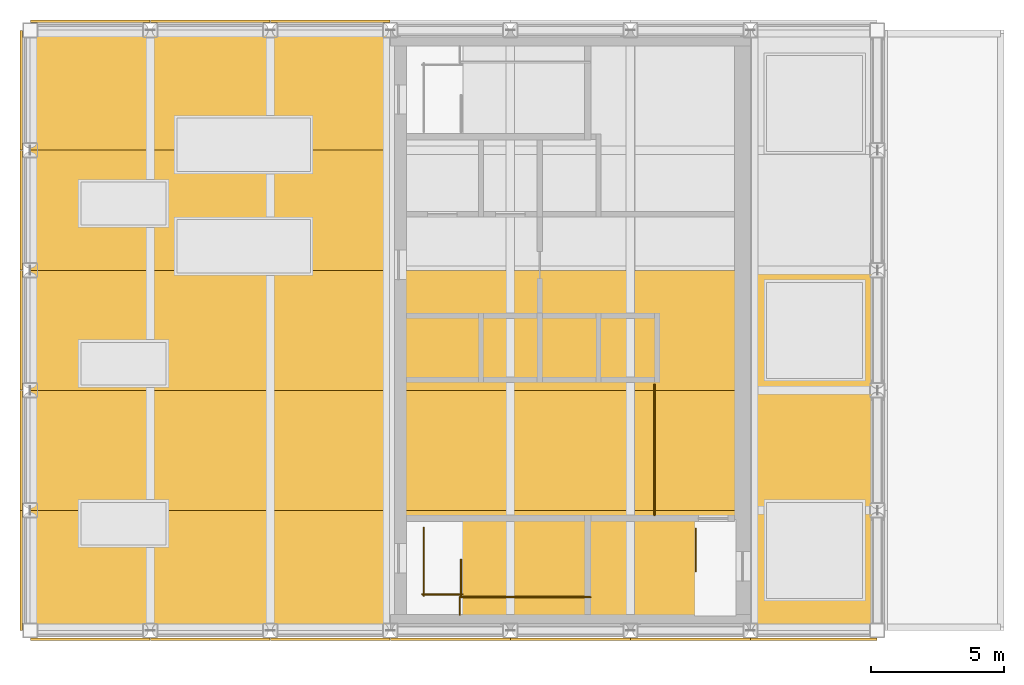
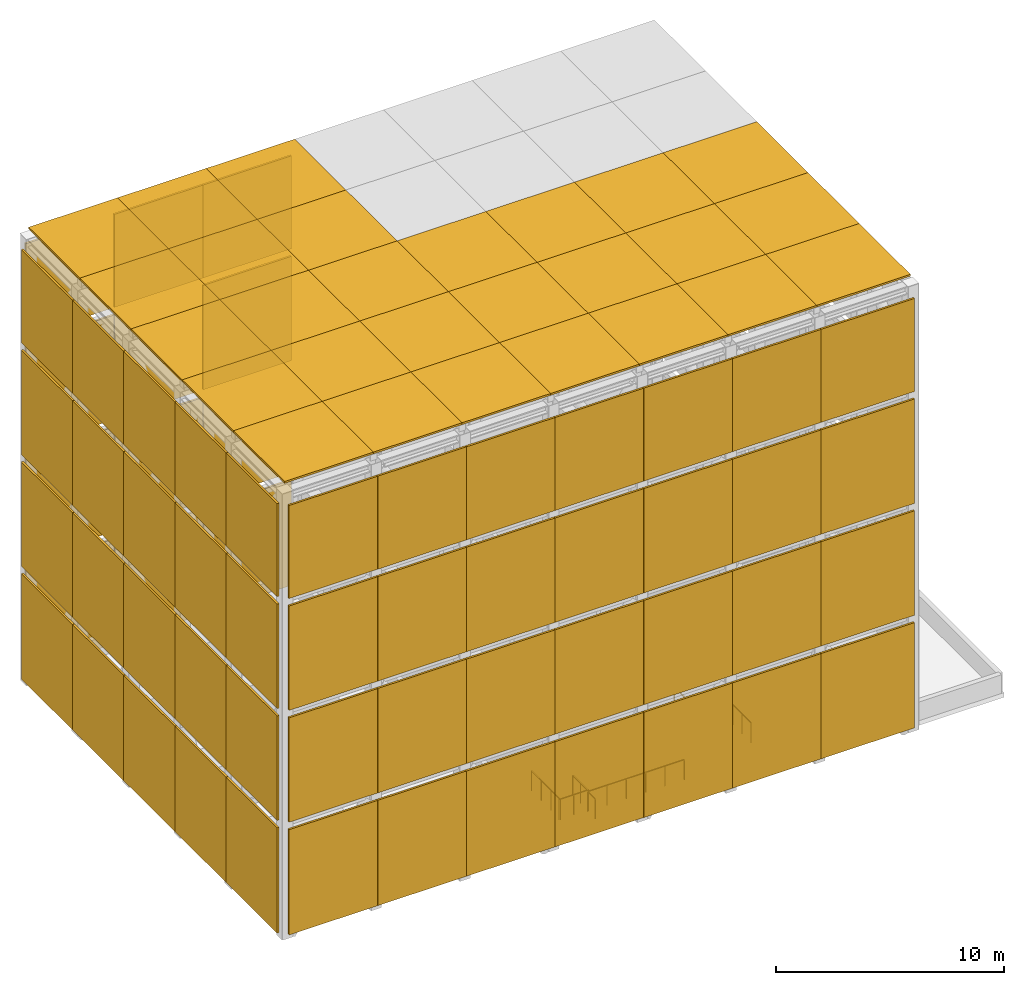
# One storey, part 8 of 11: 87 shading devices, 7 railings.
"""IFC4 building model written with IfcOpenShell, lengths in metres."""

from ifc_helpers import new_model, si_unit, direction, frame, origin, origin_2d, place, context, subcontext, project, spatial, rectangle, extrude, material, layer, layer_set, type_object, element, save


model = new_model("IFC4")

# Units and contexts
model_context = context("Model", 3, precision=1e-05, world=origin(), true_north=direction((0.0, 1.0)))
body_context = subcontext(model_context, "Body", "Model", "MODEL_VIEW")
ifc_project = project(units=[si_unit("LENGTHUNIT", "METRE"), si_unit("AREAUNIT", "SQUARE_METRE"), si_unit("VOLUMEUNIT", "CUBIC_METRE"), si_unit("PLANEANGLEUNIT", "RADIAN"), si_unit("MASSUNIT", "GRAM", prefix="KILO")], contexts=[model_context])

# Site, building, storey
site_placement = place(None, origin())
site = spatial("IfcSite", under=ifc_project, at=site_placement, CompositionType="ELEMENT")
building_placement = place(site_placement, origin())
building = spatial("IfcBuilding", under=site, at=building_placement, Name="Sennacour Bend Tower", CompositionType="ELEMENT")
storey_placement = place(building_placement, frame((0.0, 0.0, 355.5)))
storey = spatial("IfcBuildingStorey", under=building, at=storey_placement, Name="RF", CompositionType="ELEMENT", Elevation=355.5)

# Shading devices
ifc_material_1 = material(Name="Bronze anodised aluminium louvre", Category="aluminium")
ifc_layer_1 = layer(ifc_material_1, 0.10009765625, Name="Bronze anodised aluminium louvre", Category="aluminium")
ifc_layer_set_1 = layer_set([ifc_layer_1], Name="Bronze anodised aluminium louvre")
shading_device_type_1 = type_object("IfcShadingDeviceType", Name="CROWN ROOF LOUVRE", PredefinedType="USERDEFINED", material=ifc_layer_set_1)
for number, where, z_axis, x_axis, name in (
    (1, (42.75, 2.25, 24.0), (0.0, 0.0, 1.0), (1.0, 0.0, 0.0), "Crown roof louvre"),
    (2, (47.25, 2.25, 24.0), (0.0, 0.0, 1.0), (1.0, 0.0, 0.0), "Crown roof louvre"),
    (3, (51.75, 2.25, 24.0), (0.0, 0.0, 1.0), (1.0, 0.0, 0.0), "Crown roof louvre"),
    (4, (56.25, 2.25, 24.0), (0.0, 0.0, 1.0), (1.0, 0.0, 0.0), "Crown roof louvre"),
    (5, (60.75, 2.25, 24.0), (0.0, 0.0, 1.0), (1.0, 0.0, 0.0), "Crown roof louvre"),
    (6, (65.25, 2.25, 24.0), (0.0, 0.0, 1.0), (1.0, 0.0, 0.0), "Crown roof louvre"),
):
    element("IfcShadingDevice", number, at=place(storey_placement, frame(where, z_axis=z_axis, x_axis=x_axis)), inside=storey, type_object=shading_device_type_1, Name=name, ObjectType="LOUVRE", PredefinedType="USERDEFINED", context=body_context, shape_type="SweptSolid", body=[
        extrude(rectangle(XDim=4.5, YDim=4.5, at=origin_2d()), origin(), (0.0, 0.0, 1.0), 0.10009765625),
    ])
shading_device_1_placement = place(storey_placement, frame((69.875, 2.25, 24.0), z_axis=(0.0, 0.0, 1.0), x_axis=(1.0, 0.0, 0.0)))
element("IfcShadingDevice", 7, at=shading_device_1_placement, inside=storey, type_object=shading_device_type_1, Name="Crown roof louvre", ObjectType="LOUVRE", PredefinedType="USERDEFINED", context=body_context, shape_type="SweptSolid", body=[
    extrude(rectangle(XDim=4.75, YDim=4.5, at=origin_2d()), origin(), (0.0, 0.0, 1.0), 0.10009765625),
])
for number, where, z_axis, x_axis, name in (
    (8, (42.75, 6.75, 24.0), (0.0, 0.0, 1.0), (1.0, 0.0, 0.0), "Crown roof louvre"),
    (9, (47.25, 6.75, 24.0), (0.0, 0.0, 1.0), (1.0, 0.0, 0.0), "Crown roof louvre"),
    (10, (51.75, 6.75, 24.0), (0.0, 0.0, 1.0), (1.0, 0.0, 0.0), "Crown roof louvre"),
    (11, (56.25, 6.75, 24.0), (0.0, 0.0, 1.0), (1.0, 0.0, 0.0), "Crown roof louvre"),
    (12, (60.75, 6.75, 24.0), (0.0, 0.0, 1.0), (1.0, 0.0, 0.0), "Crown roof louvre"),
    (13, (65.25, 6.75, 24.0), (0.0, 0.0, 1.0), (1.0, 0.0, 0.0), "Crown roof louvre"),
):
    element("IfcShadingDevice", number, at=place(storey_placement, frame(where, z_axis=z_axis, x_axis=x_axis)), inside=storey, type_object=shading_device_type_1, Name=name, ObjectType="LOUVRE", PredefinedType="USERDEFINED", context=body_context, shape_type="SweptSolid", body=[
        extrude(rectangle(XDim=4.5, YDim=4.5, at=origin_2d()), origin(), (0.0, 0.0, 1.0), 0.10009765625),
    ])
shading_device_2_placement = place(storey_placement, frame((69.875, 6.75, 24.0), z_axis=(0.0, 0.0, 1.0), x_axis=(1.0, 0.0, 0.0)))
element("IfcShadingDevice", 14, at=shading_device_2_placement, inside=storey, type_object=shading_device_type_1, Name="Crown roof louvre", ObjectType="LOUVRE", PredefinedType="USERDEFINED", context=body_context, shape_type="SweptSolid", body=[
    extrude(rectangle(XDim=4.75, YDim=4.5, at=origin_2d()), origin(), (0.0, 0.0, 1.0), 0.10009765625),
])
for number, where, z_axis, x_axis, name in (
    (15, (42.75, 11.25, 24.0), (0.0, 0.0, 1.0), (1.0, 0.0, 0.0), "Crown roof louvre"),
    (16, (47.25, 11.25, 24.0), (0.0, 0.0, 1.0), (1.0, 0.0, 0.0), "Crown roof louvre"),
    (17, (51.75, 11.25, 24.0), (0.0, 0.0, 1.0), (1.0, 0.0, 0.0), "Crown roof louvre"),
    (18, (56.25, 11.25, 24.0), (0.0, 0.0, 1.0), (1.0, 0.0, 0.0), "Crown roof louvre"),
    (19, (60.75, 11.25, 24.0), (0.0, 0.0, 1.0), (1.0, 0.0, 0.0), "Crown roof louvre"),
    (20, (65.25, 11.25, 24.0), (0.0, 0.0, 1.0), (1.0, 0.0, 0.0), "Crown roof louvre"),
):
    element("IfcShadingDevice", number, at=place(storey_placement, frame(where, z_axis=z_axis, x_axis=x_axis)), inside=storey, type_object=shading_device_type_1, Name=name, ObjectType="LOUVRE", PredefinedType="USERDEFINED", context=body_context, shape_type="SweptSolid", body=[
        extrude(rectangle(XDim=4.5, YDim=4.5, at=origin_2d()), origin(), (0.0, 0.0, 1.0), 0.10009765625),
    ])
shading_device_3_placement = place(storey_placement, frame((69.875, 11.25, 24.0), z_axis=(0.0, 0.0, 1.0), x_axis=(1.0, 0.0, 0.0)))
element("IfcShadingDevice", 21, at=shading_device_3_placement, inside=storey, type_object=shading_device_type_1, Name="Crown roof louvre", ObjectType="LOUVRE", PredefinedType="USERDEFINED", context=body_context, shape_type="SweptSolid", body=[
    extrude(rectangle(XDim=4.75, YDim=4.5, at=origin_2d()), origin(), (0.0, 0.0, 1.0), 0.10009765625),
])
for number, where, z_axis, x_axis, name in (
    (22, (42.75, 15.75, 24.0), (0.0, 0.0, 1.0), (1.0, 0.0, 0.0), "Crown roof louvre"),
    (23, (47.25, 15.75, 24.0), (0.0, 0.0, 1.0), (1.0, 0.0, 0.0), "Crown roof louvre"),
    (24, (51.75, 15.75, 24.0), (0.0, 0.0, 1.0), (1.0, 0.0, 0.0), "Crown roof louvre"),
    (25, (42.75, 20.25, 24.0), (0.0, 0.0, 1.0), (1.0, 0.0, 0.0), "Crown roof louvre"),
    (26, (47.25, 20.25, 24.0), (0.0, 0.0, 1.0), (1.0, 0.0, 0.0), "Crown roof louvre"),
    (27, (51.75, 20.25, 24.0), (0.0, 0.0, 1.0), (1.0, 0.0, 0.0), "Crown roof louvre"),
):
    element("IfcShadingDevice", number, at=place(storey_placement, frame(where, z_axis=z_axis, x_axis=x_axis)), inside=storey, type_object=shading_device_type_1, Name=name, ObjectType="LOUVRE", PredefinedType="USERDEFINED", context=body_context, shape_type="SweptSolid", body=[
        extrude(rectangle(XDim=4.5, YDim=4.5, at=origin_2d()), origin(), (0.0, 0.0, 1.0), 0.10009765625),
    ])
ifc_material_2 = material(Name="Bronze anodised aluminium louvre screen", Category="aluminium")
ifc_layer_2 = layer(ifc_material_2, 0.10009765625, Name="Bronze anodised aluminium louvre screen", Category="aluminium")
ifc_layer_set_2 = layer_set([ifc_layer_2], Name="Bronze anodised aluminium louvre screen")
shading_device_type_2 = type_object("IfcShadingDeviceType", Name="CROWN SCREEN LOUVRE", PredefinedType="USERDEFINED", material=ifc_layer_set_2)
for number, where, z_axis, x_axis, name in (
    (28, (42.75, -0.329345703125, 18.0478515625), (0.0, 0.0, 1.0), (1.0, 0.0, 0.0), "Crown screen"),
    (29, (47.25, -0.329345703125, 18.0478515625), (0.0, 0.0, 1.0), (1.0, 0.0, 0.0), "Crown screen"),
    (30, (51.75, -0.329345703125, 18.0478515625), (0.0, 0.0, 1.0), (1.0, 0.0, 0.0), "Crown screen"),
    (31, (56.25, -0.329345703125, 18.0478515625), (0.0, 0.0, 1.0), (1.0, 0.0, 0.0), "Crown screen"),
    (32, (60.75, -0.329345703125, 18.0478515625), (0.0, 0.0, 1.0), (1.0, 0.0, 0.0), "Crown screen"),
    (33, (65.25, -0.329345703125, 18.0478515625), (0.0, 0.0, 1.0), (1.0, 0.0, 0.0), "Crown screen"),
):
    element("IfcShadingDevice", number, at=place(storey_placement, frame(where, z_axis=z_axis, x_axis=x_axis)), inside=storey, type_object=shading_device_type_2, Name=name, ObjectType="SCREEN", PredefinedType="USERDEFINED", context=body_context, shape_type="SweptSolid", body=[
        extrude(rectangle(XDim=4.489990234375, YDim=0.10009765625, at=origin_2d()), origin(), (0.0, 0.0, 1.0), 4.990966796875),
    ])
shading_device_4_placement = place(storey_placement, frame((69.875, -0.329345703125, 18.0478515625), z_axis=(0.0, 0.0, 1.0), x_axis=(1.0, 0.0, 0.0)))
element("IfcShadingDevice", 34, at=shading_device_4_placement, inside=storey, type_object=shading_device_type_2, Name="Crown screen", ObjectType="SCREEN", PredefinedType="USERDEFINED", context=body_context, shape_type="SweptSolid", body=[
    extrude(rectangle(XDim=4.739990234375, YDim=0.10009765625, at=origin_2d()), origin(), (0.0, 0.0, 1.0), 4.990966796875),
])
for number, where, z_axis, x_axis, name in (
    (35, (42.75, 22.829345703125, 18.0478515625), (0.0, 0.0, 1.0), (1.0, 0.0, 0.0), "Crown screen"),
    (36, (47.25, 22.829345703125, 18.0478515625), (0.0, 0.0, 1.0), (1.0, 0.0, 0.0), "Crown screen"),
    (37, (51.75, 22.829345703125, 18.0478515625), (0.0, 0.0, 1.0), (1.0, 0.0, 0.0), "Crown screen"),
    (38, (40.170654296875, 2.25, 18.0478515625), (0.0, 0.0, 1.0), (0.0, 1.0, 0.0), "Crown screen"),
    (39, (40.170654296875, 6.75, 18.0478515625), (0.0, 0.0, 1.0), (0.0, 1.0, 0.0), "Crown screen"),
    (40, (40.170654296875, 11.25, 18.0478515625), (0.0, 0.0, 1.0), (0.0, 1.0, 0.0), "Crown screen"),
    (41, (40.170654296875, 15.75, 18.0478515625), (0.0, 0.0, 1.0), (0.0, 1.0, 0.0), "Crown screen"),
    (42, (40.170654296875, 20.25, 18.0478515625), (0.0, 0.0, 1.0), (0.0, 1.0, 0.0), "Crown screen"),
):
    element("IfcShadingDevice", number, at=place(storey_placement, frame(where, z_axis=z_axis, x_axis=x_axis)), inside=storey, type_object=shading_device_type_2, Name=name, ObjectType="SCREEN", PredefinedType="USERDEFINED", context=body_context, shape_type="SweptSolid", body=[
        extrude(rectangle(XDim=4.489990234375, YDim=0.10009765625, at=origin_2d()), origin(), (0.0, 0.0, 1.0), 4.990966796875),
    ])
ifc_material_3 = material(Name="Perforated bronze anodised aluminium screen", Category="aluminium")
ifc_layer_3 = layer(ifc_material_3, 0.10009765625, Name="Perforated bronze anodised aluminium screen", Category="aluminium")
ifc_layer_set_3 = layer_set([ifc_layer_3], Name="Perforated bronze anodised aluminium screen")
shading_device_type_3 = type_object("IfcShadingDeviceType", Name="CROWN SCREEN PERFORATED", PredefinedType="USERDEFINED", material=ifc_layer_set_3)
shading_device_5_placement = place(storey_placement, frame((42.75, -0.329345703125, 0.0), z_axis=(0.0, 0.0, 1.0), x_axis=(1.0, 0.0, 0.0)))
element("IfcShadingDevice", 43, at=shading_device_5_placement, inside=storey, type_object=shading_device_type_3, Name="Crown screen", ObjectType="SCREEN", PredefinedType="USERDEFINED", context=body_context, shape_type="SweptSolid", body=[
    extrude(rectangle(XDim=4.489990234375, YDim=0.10009765625, at=origin_2d()), origin(), (0.0, 0.0, 1.0), 5.64794921875),
])
for number, where, z_axis, x_axis, name in (
    (44, (42.75, -0.329345703125, 6.0478515625), (0.0, 0.0, 1.0), (1.0, 0.0, 0.0), "Crown screen"),
    (45, (42.75, -0.329345703125, 12.0478515625), (0.0, 0.0, 1.0), (1.0, 0.0, 0.0), "Crown screen"),
):
    element("IfcShadingDevice", number, at=place(storey_placement, frame(where, z_axis=z_axis, x_axis=x_axis)), inside=storey, type_object=shading_device_type_3, Name=name, ObjectType="SCREEN", PredefinedType="USERDEFINED", context=body_context, shape_type="SweptSolid", body=[
        extrude(rectangle(XDim=4.489990234375, YDim=0.10009765625, at=origin_2d()), origin(), (0.0, 0.0, 1.0), 5.60009765625),
    ])
shading_device_6_placement = place(storey_placement, frame((47.25, -0.329345703125, 0.0), z_axis=(0.0, 0.0, 1.0), x_axis=(1.0, 0.0, 0.0)))
element("IfcShadingDevice", 46, at=shading_device_6_placement, inside=storey, type_object=shading_device_type_3, Name="Crown screen", ObjectType="SCREEN", PredefinedType="USERDEFINED", context=body_context, shape_type="SweptSolid", body=[
    extrude(rectangle(XDim=4.489990234375, YDim=0.10009765625, at=origin_2d()), origin(), (0.0, 0.0, 1.0), 5.64794921875),
])
for number, where, z_axis, x_axis, name in (
    (47, (47.25, -0.329345703125, 6.0478515625), (0.0, 0.0, 1.0), (1.0, 0.0, 0.0), "Crown screen"),
    (48, (47.25, -0.329345703125, 12.0478515625), (0.0, 0.0, 1.0), (1.0, 0.0, 0.0), "Crown screen"),
):
    element("IfcShadingDevice", number, at=place(storey_placement, frame(where, z_axis=z_axis, x_axis=x_axis)), inside=storey, type_object=shading_device_type_3, Name=name, ObjectType="SCREEN", PredefinedType="USERDEFINED", context=body_context, shape_type="SweptSolid", body=[
        extrude(rectangle(XDim=4.489990234375, YDim=0.10009765625, at=origin_2d()), origin(), (0.0, 0.0, 1.0), 5.60009765625),
    ])
shading_device_7_placement = place(storey_placement, frame((51.75, -0.329345703125, 0.0), z_axis=(0.0, 0.0, 1.0), x_axis=(1.0, 0.0, 0.0)))
element("IfcShadingDevice", 49, at=shading_device_7_placement, inside=storey, type_object=shading_device_type_3, Name="Crown screen", ObjectType="SCREEN", PredefinedType="USERDEFINED", context=body_context, shape_type="SweptSolid", body=[
    extrude(rectangle(XDim=4.489990234375, YDim=0.10009765625, at=origin_2d()), origin(), (0.0, 0.0, 1.0), 5.64794921875),
])
for number, where, z_axis, x_axis, name in (
    (50, (51.75, -0.329345703125, 6.0478515625), (0.0, 0.0, 1.0), (1.0, 0.0, 0.0), "Crown screen"),
    (51, (51.75, -0.329345703125, 12.0478515625), (0.0, 0.0, 1.0), (1.0, 0.0, 0.0), "Crown screen"),
):
    element("IfcShadingDevice", number, at=place(storey_placement, frame(where, z_axis=z_axis, x_axis=x_axis)), inside=storey, type_object=shading_device_type_3, Name=name, ObjectType="SCREEN", PredefinedType="USERDEFINED", context=body_context, shape_type="SweptSolid", body=[
        extrude(rectangle(XDim=4.489990234375, YDim=0.10009765625, at=origin_2d()), origin(), (0.0, 0.0, 1.0), 5.60009765625),
    ])
shading_device_8_placement = place(storey_placement, frame((56.25, -0.329345703125, 0.0), z_axis=(0.0, 0.0, 1.0), x_axis=(1.0, 0.0, 0.0)))
element("IfcShadingDevice", 52, at=shading_device_8_placement, inside=storey, type_object=shading_device_type_3, Name="Crown screen", ObjectType="SCREEN", PredefinedType="USERDEFINED", context=body_context, shape_type="SweptSolid", body=[
    extrude(rectangle(XDim=4.489990234375, YDim=0.10009765625, at=origin_2d()), origin(), (0.0, 0.0, 1.0), 5.64794921875),
])
for number, where, z_axis, x_axis, name in (
    (53, (56.25, -0.329345703125, 6.0478515625), (0.0, 0.0, 1.0), (1.0, 0.0, 0.0), "Crown screen"),
    (54, (56.25, -0.329345703125, 12.0478515625), (0.0, 0.0, 1.0), (1.0, 0.0, 0.0), "Crown screen"),
):
    element("IfcShadingDevice", number, at=place(storey_placement, frame(where, z_axis=z_axis, x_axis=x_axis)), inside=storey, type_object=shading_device_type_3, Name=name, ObjectType="SCREEN", PredefinedType="USERDEFINED", context=body_context, shape_type="SweptSolid", body=[
        extrude(rectangle(XDim=4.489990234375, YDim=0.10009765625, at=origin_2d()), origin(), (0.0, 0.0, 1.0), 5.60009765625),
    ])
shading_device_9_placement = place(storey_placement, frame((60.75, -0.329345703125, 0.0), z_axis=(0.0, 0.0, 1.0), x_axis=(1.0, 0.0, 0.0)))
element("IfcShadingDevice", 55, at=shading_device_9_placement, inside=storey, type_object=shading_device_type_3, Name="Crown screen", ObjectType="SCREEN", PredefinedType="USERDEFINED", context=body_context, shape_type="SweptSolid", body=[
    extrude(rectangle(XDim=4.489990234375, YDim=0.10009765625, at=origin_2d()), origin(), (0.0, 0.0, 1.0), 5.64794921875),
])
for number, where, z_axis, x_axis, name in (
    (56, (60.75, -0.329345703125, 6.0478515625), (0.0, 0.0, 1.0), (1.0, 0.0, 0.0), "Crown screen"),
    (57, (60.75, -0.329345703125, 12.0478515625), (0.0, 0.0, 1.0), (1.0, 0.0, 0.0), "Crown screen"),
):
    element("IfcShadingDevice", number, at=place(storey_placement, frame(where, z_axis=z_axis, x_axis=x_axis)), inside=storey, type_object=shading_device_type_3, Name=name, ObjectType="SCREEN", PredefinedType="USERDEFINED", context=body_context, shape_type="SweptSolid", body=[
        extrude(rectangle(XDim=4.489990234375, YDim=0.10009765625, at=origin_2d()), origin(), (0.0, 0.0, 1.0), 5.60009765625),
    ])
shading_device_10_placement = place(storey_placement, frame((65.25, -0.329345703125, 0.0), z_axis=(0.0, 0.0, 1.0), x_axis=(1.0, 0.0, 0.0)))
element("IfcShadingDevice", 58, at=shading_device_10_placement, inside=storey, type_object=shading_device_type_3, Name="Crown screen", ObjectType="SCREEN", PredefinedType="USERDEFINED", context=body_context, shape_type="SweptSolid", body=[
    extrude(rectangle(XDim=4.489990234375, YDim=0.10009765625, at=origin_2d()), origin(), (0.0, 0.0, 1.0), 5.64794921875),
])
for number, where, z_axis, x_axis, name in (
    (59, (65.25, -0.329345703125, 6.0478515625), (0.0, 0.0, 1.0), (1.0, 0.0, 0.0), "Crown screen"),
    (60, (65.25, -0.329345703125, 12.0478515625), (0.0, 0.0, 1.0), (1.0, 0.0, 0.0), "Crown screen"),
):
    element("IfcShadingDevice", number, at=place(storey_placement, frame(where, z_axis=z_axis, x_axis=x_axis)), inside=storey, type_object=shading_device_type_3, Name=name, ObjectType="SCREEN", PredefinedType="USERDEFINED", context=body_context, shape_type="SweptSolid", body=[
        extrude(rectangle(XDim=4.489990234375, YDim=0.10009765625, at=origin_2d()), origin(), (0.0, 0.0, 1.0), 5.60009765625),
    ])
shading_device_11_placement = place(storey_placement, frame((69.875, -0.329345703125, 0.0), z_axis=(0.0, 0.0, 1.0), x_axis=(1.0, 0.0, 0.0)))
element("IfcShadingDevice", 61, at=shading_device_11_placement, inside=storey, type_object=shading_device_type_3, Name="Crown screen", ObjectType="SCREEN", PredefinedType="USERDEFINED", context=body_context, shape_type="SweptSolid", body=[
    extrude(rectangle(XDim=4.739990234375, YDim=0.10009765625, at=origin_2d()), origin(), (0.0, 0.0, 1.0), 5.64794921875),
])
for number, where, z_axis, x_axis, name in (
    (62, (69.875, -0.329345703125, 6.0478515625), (0.0, 0.0, 1.0), (1.0, 0.0, 0.0), "Crown screen"),
    (63, (69.875, -0.329345703125, 12.0478515625), (0.0, 0.0, 1.0), (1.0, 0.0, 0.0), "Crown screen"),
):
    element("IfcShadingDevice", number, at=place(storey_placement, frame(where, z_axis=z_axis, x_axis=x_axis)), inside=storey, type_object=shading_device_type_3, Name=name, ObjectType="SCREEN", PredefinedType="USERDEFINED", context=body_context, shape_type="SweptSolid", body=[
        extrude(rectangle(XDim=4.739990234375, YDim=0.10009765625, at=origin_2d()), origin(), (0.0, 0.0, 1.0), 5.60009765625),
    ])
shading_device_12_placement = place(storey_placement, frame((42.75, 22.829345703125, 0.0), z_axis=(0.0, 0.0, 1.0), x_axis=(1.0, 0.0, 0.0)))
element("IfcShadingDevice", 64, at=shading_device_12_placement, inside=storey, type_object=shading_device_type_3, Name="Crown screen", ObjectType="SCREEN", PredefinedType="USERDEFINED", context=body_context, shape_type="SweptSolid", body=[
    extrude(rectangle(XDim=4.489990234375, YDim=0.10009765625, at=origin_2d()), origin(), (0.0, 0.0, 1.0), 5.64794921875),
])
for number, where, z_axis, x_axis, name in (
    (65, (42.75, 22.829345703125, 6.0478515625), (0.0, 0.0, 1.0), (1.0, 0.0, 0.0), "Crown screen"),
    (66, (42.75, 22.829345703125, 12.0478515625), (0.0, 0.0, 1.0), (1.0, 0.0, 0.0), "Crown screen"),
):
    element("IfcShadingDevice", number, at=place(storey_placement, frame(where, z_axis=z_axis, x_axis=x_axis)), inside=storey, type_object=shading_device_type_3, Name=name, ObjectType="SCREEN", PredefinedType="USERDEFINED", context=body_context, shape_type="SweptSolid", body=[
        extrude(rectangle(XDim=4.489990234375, YDim=0.10009765625, at=origin_2d()), origin(), (0.0, 0.0, 1.0), 5.60009765625),
    ])
shading_device_13_placement = place(storey_placement, frame((47.25, 22.829345703125, 0.0), z_axis=(0.0, 0.0, 1.0), x_axis=(1.0, 0.0, 0.0)))
element("IfcShadingDevice", 67, at=shading_device_13_placement, inside=storey, type_object=shading_device_type_3, Name="Crown screen", ObjectType="SCREEN", PredefinedType="USERDEFINED", context=body_context, shape_type="SweptSolid", body=[
    extrude(rectangle(XDim=4.489990234375, YDim=0.10009765625, at=origin_2d()), origin(), (0.0, 0.0, 1.0), 5.64794921875),
])
for number, where, z_axis, x_axis, name in (
    (68, (47.25, 22.829345703125, 6.0478515625), (0.0, 0.0, 1.0), (1.0, 0.0, 0.0), "Crown screen"),
    (69, (47.25, 22.829345703125, 12.0478515625), (0.0, 0.0, 1.0), (1.0, 0.0, 0.0), "Crown screen"),
):
    element("IfcShadingDevice", number, at=place(storey_placement, frame(where, z_axis=z_axis, x_axis=x_axis)), inside=storey, type_object=shading_device_type_3, Name=name, ObjectType="SCREEN", PredefinedType="USERDEFINED", context=body_context, shape_type="SweptSolid", body=[
        extrude(rectangle(XDim=4.489990234375, YDim=0.10009765625, at=origin_2d()), origin(), (0.0, 0.0, 1.0), 5.60009765625),
    ])
shading_device_14_placement = place(storey_placement, frame((51.75, 22.829345703125, 0.0), z_axis=(0.0, 0.0, 1.0), x_axis=(1.0, 0.0, 0.0)))
element("IfcShadingDevice", 70, at=shading_device_14_placement, inside=storey, type_object=shading_device_type_3, Name="Crown screen", ObjectType="SCREEN", PredefinedType="USERDEFINED", context=body_context, shape_type="SweptSolid", body=[
    extrude(rectangle(XDim=4.489990234375, YDim=0.10009765625, at=origin_2d()), origin(), (0.0, 0.0, 1.0), 5.64794921875),
])
for number, where, z_axis, x_axis, name in (
    (71, (51.75, 22.829345703125, 6.0478515625), (0.0, 0.0, 1.0), (1.0, 0.0, 0.0), "Crown screen"),
    (72, (51.75, 22.829345703125, 12.0478515625), (0.0, 0.0, 1.0), (1.0, 0.0, 0.0), "Crown screen"),
):
    element("IfcShadingDevice", number, at=place(storey_placement, frame(where, z_axis=z_axis, x_axis=x_axis)), inside=storey, type_object=shading_device_type_3, Name=name, ObjectType="SCREEN", PredefinedType="USERDEFINED", context=body_context, shape_type="SweptSolid", body=[
        extrude(rectangle(XDim=4.489990234375, YDim=0.10009765625, at=origin_2d()), origin(), (0.0, 0.0, 1.0), 5.60009765625),
    ])
shading_device_15_placement = place(storey_placement, frame((40.170654296875, 2.25, 0.0), z_axis=(0.0, 0.0, 1.0), x_axis=(0.0, 1.0, 0.0)))
element("IfcShadingDevice", 73, at=shading_device_15_placement, inside=storey, type_object=shading_device_type_3, Name="Crown screen", ObjectType="SCREEN", PredefinedType="USERDEFINED", context=body_context, shape_type="SweptSolid", body=[
    extrude(rectangle(XDim=4.489990234375, YDim=0.10009765625, at=origin_2d()), origin(), (0.0, 0.0, 1.0), 5.64794921875),
])
for number, where, z_axis, x_axis, name in (
    (74, (40.170654296875, 2.25, 6.0478515625), (0.0, 0.0, 1.0), (0.0, 1.0, 0.0), "Crown screen"),
    (75, (40.170654296875, 2.25, 12.0478515625), (0.0, 0.0, 1.0), (0.0, 1.0, 0.0), "Crown screen"),
):
    element("IfcShadingDevice", number, at=place(storey_placement, frame(where, z_axis=z_axis, x_axis=x_axis)), inside=storey, type_object=shading_device_type_3, Name=name, ObjectType="SCREEN", PredefinedType="USERDEFINED", context=body_context, shape_type="SweptSolid", body=[
        extrude(rectangle(XDim=4.489990234375, YDim=0.10009765625, at=origin_2d()), origin(), (0.0, 0.0, 1.0), 5.60009765625),
    ])
shading_device_16_placement = place(storey_placement, frame((40.170654296875, 6.75, 0.0), z_axis=(0.0, 0.0, 1.0), x_axis=(0.0, 1.0, 0.0)))
element("IfcShadingDevice", 76, at=shading_device_16_placement, inside=storey, type_object=shading_device_type_3, Name="Crown screen", ObjectType="SCREEN", PredefinedType="USERDEFINED", context=body_context, shape_type="SweptSolid", body=[
    extrude(rectangle(XDim=4.489990234375, YDim=0.10009765625, at=origin_2d()), origin(), (0.0, 0.0, 1.0), 5.64794921875),
])
for number, where, z_axis, x_axis, name in (
    (77, (40.170654296875, 6.75, 6.0478515625), (0.0, 0.0, 1.0), (0.0, 1.0, 0.0), "Crown screen"),
    (78, (40.170654296875, 6.75, 12.0478515625), (0.0, 0.0, 1.0), (0.0, 1.0, 0.0), "Crown screen"),
):
    element("IfcShadingDevice", number, at=place(storey_placement, frame(where, z_axis=z_axis, x_axis=x_axis)), inside=storey, type_object=shading_device_type_3, Name=name, ObjectType="SCREEN", PredefinedType="USERDEFINED", context=body_context, shape_type="SweptSolid", body=[
        extrude(rectangle(XDim=4.489990234375, YDim=0.10009765625, at=origin_2d()), origin(), (0.0, 0.0, 1.0), 5.60009765625),
    ])
shading_device_17_placement = place(storey_placement, frame((40.170654296875, 11.25, 0.0), z_axis=(0.0, 0.0, 1.0), x_axis=(0.0, 1.0, 0.0)))
element("IfcShadingDevice", 79, at=shading_device_17_placement, inside=storey, type_object=shading_device_type_3, Name="Crown screen", ObjectType="SCREEN", PredefinedType="USERDEFINED", context=body_context, shape_type="SweptSolid", body=[
    extrude(rectangle(XDim=4.489990234375, YDim=0.10009765625, at=origin_2d()), origin(), (0.0, 0.0, 1.0), 5.64794921875),
])
for number, where, z_axis, x_axis, name in (
    (80, (40.170654296875, 11.25, 6.0478515625), (0.0, 0.0, 1.0), (0.0, 1.0, 0.0), "Crown screen"),
    (81, (40.170654296875, 11.25, 12.0478515625), (0.0, 0.0, 1.0), (0.0, 1.0, 0.0), "Crown screen"),
):
    element("IfcShadingDevice", number, at=place(storey_placement, frame(where, z_axis=z_axis, x_axis=x_axis)), inside=storey, type_object=shading_device_type_3, Name=name, ObjectType="SCREEN", PredefinedType="USERDEFINED", context=body_context, shape_type="SweptSolid", body=[
        extrude(rectangle(XDim=4.489990234375, YDim=0.10009765625, at=origin_2d()), origin(), (0.0, 0.0, 1.0), 5.60009765625),
    ])
shading_device_18_placement = place(storey_placement, frame((40.170654296875, 15.75, 0.0), z_axis=(0.0, 0.0, 1.0), x_axis=(0.0, 1.0, 0.0)))
element("IfcShadingDevice", 82, at=shading_device_18_placement, inside=storey, type_object=shading_device_type_3, Name="Crown screen", ObjectType="SCREEN", PredefinedType="USERDEFINED", context=body_context, shape_type="SweptSolid", body=[
    extrude(rectangle(XDim=4.489990234375, YDim=0.10009765625, at=origin_2d()), origin(), (0.0, 0.0, 1.0), 5.64794921875),
])
for number, where, z_axis, x_axis, name in (
    (83, (40.170654296875, 15.75, 6.0478515625), (0.0, 0.0, 1.0), (0.0, 1.0, 0.0), "Crown screen"),
    (84, (40.170654296875, 15.75, 12.0478515625), (0.0, 0.0, 1.0), (0.0, 1.0, 0.0), "Crown screen"),
):
    element("IfcShadingDevice", number, at=place(storey_placement, frame(where, z_axis=z_axis, x_axis=x_axis)), inside=storey, type_object=shading_device_type_3, Name=name, ObjectType="SCREEN", PredefinedType="USERDEFINED", context=body_context, shape_type="SweptSolid", body=[
        extrude(rectangle(XDim=4.489990234375, YDim=0.10009765625, at=origin_2d()), origin(), (0.0, 0.0, 1.0), 5.60009765625),
    ])
shading_device_19_placement = place(storey_placement, frame((40.170654296875, 20.25, 0.0), z_axis=(0.0, 0.0, 1.0), x_axis=(0.0, 1.0, 0.0)))
element("IfcShadingDevice", 85, at=shading_device_19_placement, inside=storey, type_object=shading_device_type_3, Name="Crown screen", ObjectType="SCREEN", PredefinedType="USERDEFINED", context=body_context, shape_type="SweptSolid", body=[
    extrude(rectangle(XDim=4.489990234375, YDim=0.10009765625, at=origin_2d()), origin(), (0.0, 0.0, 1.0), 5.64794921875),
])
for number, where, z_axis, x_axis, name in (
    (86, (40.170654296875, 20.25, 6.0478515625), (0.0, 0.0, 1.0), (0.0, 1.0, 0.0), "Crown screen"),
    (87, (40.170654296875, 20.25, 12.0478515625), (0.0, 0.0, 1.0), (0.0, 1.0, 0.0), "Crown screen"),
):
    element("IfcShadingDevice", number, at=place(storey_placement, frame(where, z_axis=z_axis, x_axis=x_axis)), inside=storey, type_object=shading_device_type_3, Name=name, ObjectType="SCREEN", PredefinedType="USERDEFINED", context=body_context, shape_type="SweptSolid", body=[
        extrude(rectangle(XDim=4.489990234375, YDim=0.10009765625, at=origin_2d()), origin(), (0.0, 0.0, 1.0), 5.60009765625),
    ])

# Railings
ifc_material_4 = material(Name="Stainless steel", Category="steel")
railing_type = type_object("IfcRailingType", Name="RL-GUARD-1100", PredefinedType="GUARDRAIL", material=ifc_material_4)
railing_1_placement = place(storey_placement, frame((63.89990234375, 4.324951171875, 0.0)))
element("IfcRailing", 88, at=railing_1_placement, inside=storey, type_object=railing_type, Name="RF lobby floor edge guard 1", PredefinedType="GUARDRAIL", context=body_context, shape_type="SweptSolid", body=[
    extrude(rectangle(XDim=0.048095703125, YDim=0.048095703125, at=origin_2d()), frame((0.0, 0.0, 1.076171875), z_axis=(0.0, 1.0, 0.0), x_axis=(-1.0, 0.0, 0.0)), (0.0, 0.0, 1.0), 4.8837890625),
    extrude(rectangle(XDim=0.0419921875, YDim=0.0419921875, at=origin_2d()), origin(), (0.0, 0.0, 1.0), 1.052001953125),
    extrude(rectangle(XDim=0.0419921875, YDim=0.0419921875, at=origin_2d()), frame((0.0, 0.976806640625, 0.0)), (0.0, 0.0, 1.0), 1.052001953125),
    extrude(rectangle(XDim=0.0419921875, YDim=0.0419921875, at=origin_2d()), frame((0.0, 1.95361328125, 0.0)), (0.0, 0.0, 1.0), 1.052001953125),
    extrude(rectangle(XDim=0.0419921875, YDim=0.0419921875, at=origin_2d()), frame((0.0, 2.93017578125, 0.0)), (0.0, 0.0, 1.0), 1.052001953125),
    extrude(rectangle(XDim=0.0419921875, YDim=0.0419921875, at=origin_2d()), frame((0.0, 3.906982421875, 0.0)), (0.0, 0.0, 1.0), 1.052001953125),
    extrude(rectangle(XDim=0.0419921875, YDim=0.0419921875, at=origin_2d()), frame((0.0, 4.8837890625, 0.0)), (0.0, 0.0, 1.0), 1.052001953125),
])
railing_2_placement = place(storey_placement, frame((56.64990234375, 1.300048828125, 0.0)))
element("IfcRailing", 89, at=railing_2_placement, inside=storey, type_object=railing_type, Name="RF SA1 top well guard 1", PredefinedType="GUARDRAIL", context=body_context, shape_type="SweptSolid", body=[
    extrude(rectangle(XDim=0.048095703125, YDim=0.048095703125, at=origin_2d()), frame((0.0, 0.0, 1.076171875), z_axis=(0.0, 1.0, 0.0), x_axis=(-1.0, 0.0, 0.0)), (0.0, 0.0, 1.0), 1.349853515625),
    extrude(rectangle(XDim=0.0419921875, YDim=0.0419921875, at=origin_2d()), origin(), (0.0, 0.0, 1.0), 1.052001953125),
    extrude(rectangle(XDim=0.0419921875, YDim=0.0419921875, at=origin_2d()), frame((0.0, 0.6748046875, 0.0)), (0.0, 0.0, 1.0), 1.052001953125),
    extrude(rectangle(XDim=0.0419921875, YDim=0.0419921875, at=origin_2d()), frame((0.0, 1.349853515625, 0.0)), (0.0, 0.0, 1.0), 1.052001953125),
])
railing_3_placement = place(storey_placement, frame((56.60009765625, 1.25, 0.0)))
element("IfcRailing", 90, at=railing_3_placement, inside=storey, type_object=railing_type, Name="RF SA1 top well guard 2", PredefinedType="GUARDRAIL", context=body_context, shape_type="SweptSolid", body=[
    extrude(rectangle(XDim=0.048095703125, YDim=0.048095703125, at=origin_2d()), frame((0.0, 0.0, 1.076171875), z_axis=(1.0, 0.0, 0.0), x_axis=(0.0, 1.0, 0.0)), (0.0, 0.0, 1.0), 4.89990234375),
    extrude(rectangle(XDim=0.0419921875, YDim=0.0419921875, at=origin_2d()), origin(), (0.0, 0.0, 1.0), 1.052001953125),
    extrude(rectangle(XDim=0.0419921875, YDim=0.0419921875, at=origin_2d()), frame((0.97998046875, 0.0, 0.0)), (0.0, 0.0, 1.0), 1.052001953125),
    extrude(rectangle(XDim=0.0419921875, YDim=0.0419921875, at=origin_2d()), frame((1.9599609375, 0.0, 0.0)), (0.0, 0.0, 1.0), 1.052001953125),
    extrude(rectangle(XDim=0.0419921875, YDim=0.0419921875, at=origin_2d()), frame((2.93994140625, 0.0, 0.0)), (0.0, 0.0, 1.0), 1.052001953125),
    extrude(rectangle(XDim=0.0419921875, YDim=0.0419921875, at=origin_2d()), frame((3.919921875, 0.0, 0.0)), (0.0, 0.0, 1.0), 1.052001953125),
    extrude(rectangle(XDim=0.0419921875, YDim=0.0419921875, at=origin_2d()), frame((4.89990234375, 0.0, 0.0)), (0.0, 0.0, 1.0), 1.052001953125),
])
railing_4_placement = place(storey_placement, frame((55.199951171875, 1.35009765625, 0.0)))
element("IfcRailing", 91, at=railing_4_placement, inside=storey, type_object=railing_type, Name="RF SA1 top well guard 3", PredefinedType="GUARDRAIL", context=body_context, shape_type="SweptSolid", body=[
    extrude(rectangle(XDim=0.048095703125, YDim=0.048095703125, at=origin_2d()), frame((0.0, 0.0, 1.076171875), z_axis=(1.0, 0.0, 0.0), x_axis=(0.0, 1.0, 0.0)), (0.0, 0.0, 1.0), 1.5),
    extrude(rectangle(XDim=0.0419921875, YDim=0.0419921875, at=origin_2d()), origin(), (0.0, 0.0, 1.0), 1.052001953125),
    extrude(rectangle(XDim=0.0419921875, YDim=0.0419921875, at=origin_2d()), frame((0.75, 0.0, 0.0)), (0.0, 0.0, 1.0), 1.052001953125),
    extrude(rectangle(XDim=0.0419921875, YDim=0.0419921875, at=origin_2d()), frame((1.5, 0.0, 0.0)), (0.0, 0.0, 1.0), 1.052001953125),
])
railing_5_placement = place(storey_placement, frame((55.25, 1.300048828125, 0.0)))
element("IfcRailing", 92, at=railing_5_placement, inside=storey, type_object=railing_type, Name="RF SA1 top well guard 4", PredefinedType="GUARDRAIL", context=body_context, shape_type="SweptSolid", body=[
    extrude(rectangle(XDim=0.048095703125, YDim=0.048095703125, at=origin_2d()), frame((0.0, 0.0, 1.076171875), z_axis=(0.0, 1.0, 0.0), x_axis=(-1.0, 0.0, 0.0)), (0.0, 0.0, 1.0), 2.550048828125),
    extrude(rectangle(XDim=0.0419921875, YDim=0.0419921875, at=origin_2d()), origin(), (0.0, 0.0, 1.0), 1.052001953125),
    extrude(rectangle(XDim=0.0419921875, YDim=0.0419921875, at=origin_2d()), frame((0.0, 0.85009765625, 0.0)), (0.0, 0.0, 1.0), 1.052001953125),
    extrude(rectangle(XDim=0.0419921875, YDim=0.0419921875, at=origin_2d()), frame((0.0, 1.699951171875, 0.0)), (0.0, 0.0, 1.0), 1.052001953125),
    extrude(rectangle(XDim=0.0419921875, YDim=0.0419921875, at=origin_2d()), frame((0.0, 2.550048828125, 0.0)), (0.0, 0.0, 1.0), 1.052001953125),
])
railing_6_placement = place(storey_placement, frame((56.60009765625, 1.25, 0.0)))
element("IfcRailing", 93, at=railing_6_placement, inside=storey, type_object=railing_type, Name="RF SA1 landing edge guard 168", PredefinedType="GUARDRAIL", context=body_context, shape_type="SweptSolid", body=[
    extrude(rectangle(XDim=0.048095703125, YDim=0.048095703125, at=origin_2d()), frame((0.0, 0.0, 1.076171875), z_axis=(0.0, -1.0, 0.0), x_axis=(1.0, 0.0, 0.0)), (0.0, 0.0, 1.0), 0.64990234375),
    extrude(rectangle(XDim=0.0419921875, YDim=0.0419921875, at=origin_2d()), origin(), (0.0, 0.0, 1.0), 1.052001953125),
    extrude(rectangle(XDim=0.0419921875, YDim=0.0419921875, at=origin_2d()), frame((0.0, -0.64990234375, 0.0)), (0.0, 0.0, 1.0), 1.052001953125),
])
railing_7_placement = place(storey_placement, frame((65.449951171875, 3.81494140625, 0.0)))
element("IfcRailing", 94, at=railing_7_placement, inside=storey, type_object=railing_type, Name="RF SA3 top well guard 1", PredefinedType="GUARDRAIL", context=body_context, shape_type="SweptSolid", body=[
    extrude(rectangle(XDim=0.048095703125, YDim=0.048095703125, at=origin_2d()), frame((0.0, 0.0, 1.076171875), z_axis=(0.0, -1.0, 0.0), x_axis=(1.0, 0.0, 0.0)), (0.0, 0.0, 1.0), 1.58984375),
    extrude(rectangle(XDim=0.0419921875, YDim=0.0419921875, at=origin_2d()), origin(), (0.0, 0.0, 1.0), 1.052001953125),
    extrude(rectangle(XDim=0.0419921875, YDim=0.0419921875, at=origin_2d()), frame((0.0, -0.794921875, 0.0)), (0.0, 0.0, 1.0), 1.052001953125),
    extrude(rectangle(XDim=0.0419921875, YDim=0.0419921875, at=origin_2d()), frame((0.0, -1.58984375, 0.0)), (0.0, 0.0, 1.0), 1.052001953125),
])

save(model, "model.ifc")
